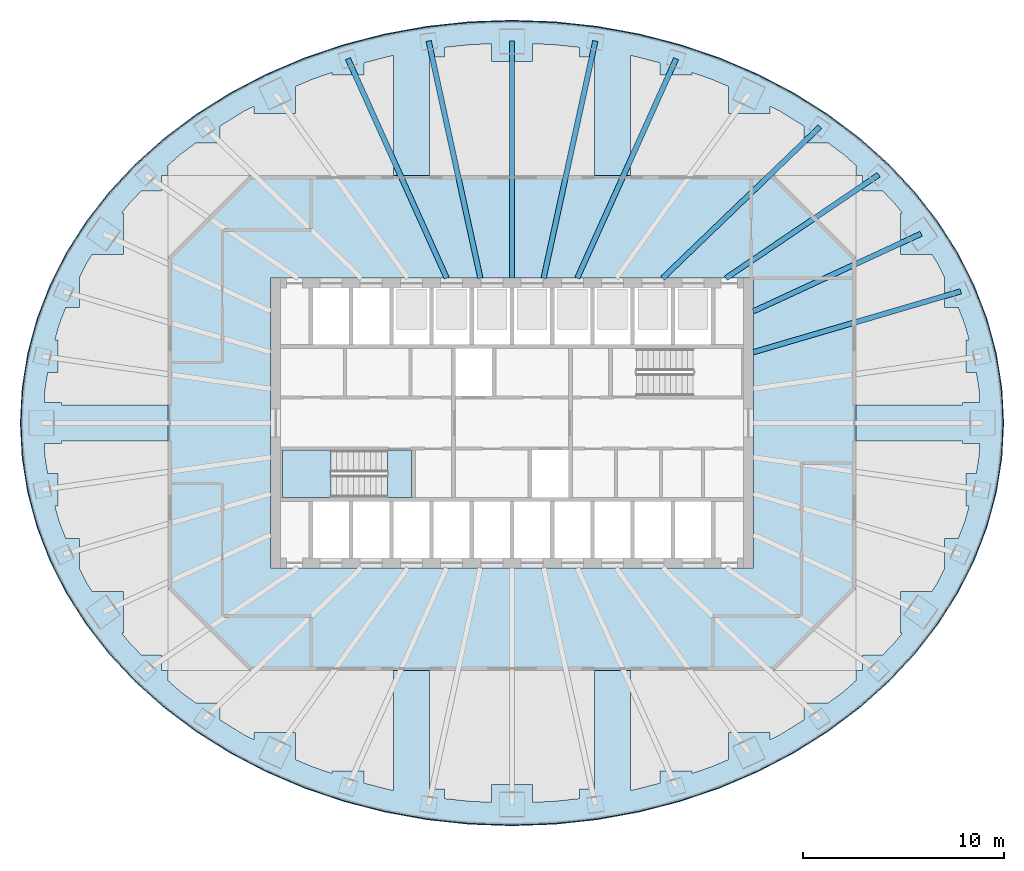
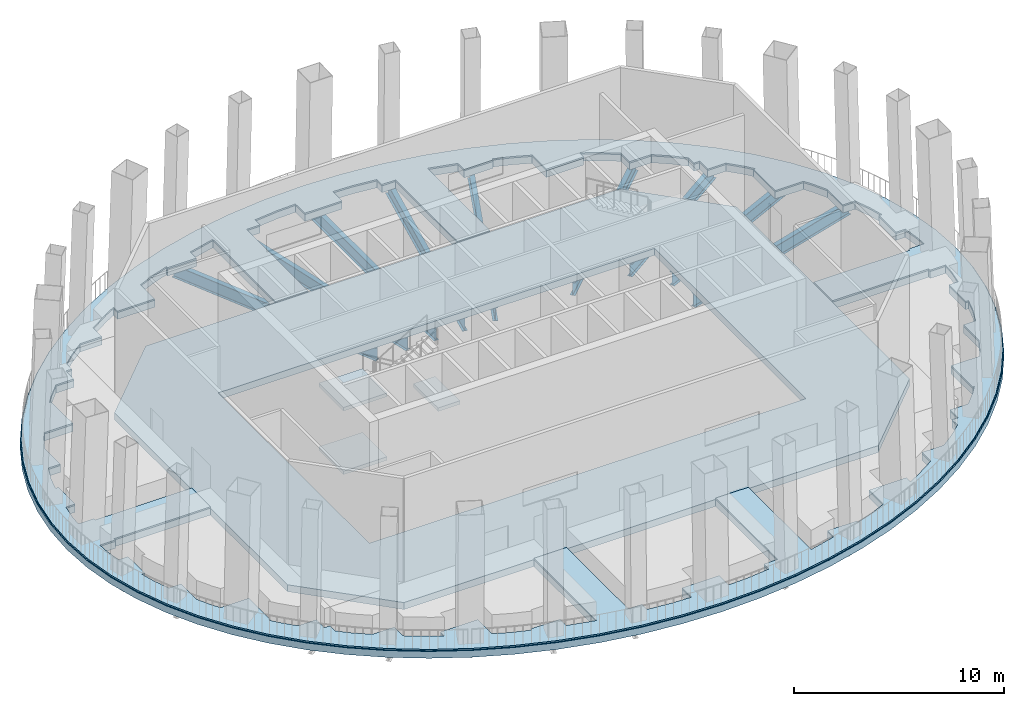
# One storey, part 2 of 15: 9 beams, 6 slabs, 1 element without a shape of its own.
"""IFC4 building model written with IfcOpenShell, lengths in metres."""

from ifc_helpers import new_model, si_unit, direction, frame, origin, origin_2d, place, context, subcontext, project, spatial, polyline, i_section, outline, extrude, material, layer, layer_set, material_profile, profile_set, type_object, element, aggregate, save


model = new_model("IFC4")

# Units and contexts
model_context = context("Model", 3, precision=1e-05, world=origin(), true_north=direction((0.0, 1.0)))
body_context = subcontext(model_context, "Body", "Model", "MODEL_VIEW")
ifc_project = project(units=[si_unit("LENGTHUNIT", "METRE"), si_unit("AREAUNIT", "SQUARE_METRE"), si_unit("VOLUMEUNIT", "CUBIC_METRE"), si_unit("PLANEANGLEUNIT", "RADIAN"), si_unit("MASSUNIT", "GRAM", prefix="KILO")], contexts=[model_context])

# Site, building, storey
site_placement = place(None, origin())
site = spatial("IfcSite", under=ifc_project, at=site_placement, CompositionType="ELEMENT")
building_placement = place(site_placement, origin())
building = spatial("IfcBuilding", under=site, at=building_placement, Name="Siaravel Broadcast Tower", CompositionType="ELEMENT")
storey_placement = place(building_placement, frame((0.0, 0.0, 145.199951171875)))
storey = spatial("IfcBuildingStorey", under=building, at=storey_placement, Name="L35", CompositionType="ELEMENT", Elevation=145.199951171875)

# Beams
ifc_material_1 = material(Name="Steel S355", Category="steel")
ifc_material_profile = material_profile(ifc_material_1, i_section(OverallWidth=0.26513671875, OverallDepth=0.75390625, WebThickness=0.0126953125, FlangeThickness=0.017578125, FilletRadius=0.0166015625, at=origin_2d()))
ifc_profile_set = profile_set([ifc_material_profile], Name="Steel S355")
beam_type = type_object("IfcBeamType", Name="BM-UB 762x267x147", PredefinedType="BEAM", material=ifc_profile_set)
beam_1_placement = place(storey_placement, frame((22.30712890625, 6.543701171875, -0.77685546875), z_axis=(-0.959562515, -0.281495612, 0.0), x_axis=(0.281495612, -0.959562515, 0.0)))
element("IfcBeam", 1, at=beam_1_placement, inside=storey, type_object=beam_type, Name="Radial beam RB03", PredefinedType="BEAM", context=body_context, shape_type="SweptSolid", body=[
    extrude(i_section(OverallWidth=0.26513671875, OverallDepth=0.75390625, WebThickness=0.0126953125, FlangeThickness=0.017578125, FilletRadius=0.0166015625, at=origin_2d()), origin(), (0.0, 0.0, 1.0), 10.741455078125),
])
beam_2_placement = place(storey_placement, frame((20.3330078125, 9.4072265625, -0.77685546875), z_axis=(-0.907576886, -0.419885931, 0.0), x_axis=(0.419885931, -0.907576886, 0.0)))
element("IfcBeam", 2, at=beam_2_placement, inside=storey, type_object=beam_type, Name="Radial beam RB04", PredefinedType="BEAM", context=body_context, shape_type="SweptSolid", body=[
    extrude(i_section(OverallWidth=0.26513671875, OverallDepth=0.75390625, WebThickness=0.0126953125, FlangeThickness=0.017578125, FilletRadius=0.0166015625, at=origin_2d()), origin(), (0.0, 0.0, 1.0), 9.181640625),
])
beam_3_placement = place(storey_placement, frame((18.22216796875, 12.3359375, -0.77685546875), z_axis=(-0.828089489, -0.560595932, 0.0), x_axis=(0.560595932, -0.828089489, 0.0)))
element("IfcBeam", 3, at=beam_3_placement, inside=storey, type_object=beam_type, Name="Radial beam RB05", PredefinedType="BEAM", context=body_context, shape_type="SweptSolid", body=[
    extrude(i_section(OverallWidth=0.26513671875, OverallDepth=0.75390625, WebThickness=0.0126953125, FlangeThickness=0.017578125, FilletRadius=0.0166015625, at=origin_2d()), origin(), (0.0, 0.0, 1.0), 9.16162109375),
])
beam_4_placement = place(storey_placement, frame((15.305908203125, 14.724365234375, -0.77685546875), z_axis=(-0.720662301, -0.693286267, 0.0), x_axis=(0.693286267, -0.720662301, 0.0)))
element("IfcBeam", 4, at=beam_4_placement, inside=storey, type_object=beam_type, Name="Radial beam RB06", PredefinedType="BEAM", context=body_context, shape_type="SweptSolid", body=[
    extrude(i_section(OverallWidth=0.26513671875, OverallDepth=0.75390625, WebThickness=0.0126953125, FlangeThickness=0.017578125, FilletRadius=0.0166015625, at=origin_2d()), origin(), (0.0, 0.0, 1.0), 10.853271484375),
])
beam_5_placement = place(storey_placement, frame((8.15673828125, 18.104248046875, -0.77685546875), z_axis=(-0.410775447, -0.911736548, 0.0), x_axis=(0.911736548, -0.410775447, 0.0)))
element("IfcBeam", 5, at=beam_5_placement, inside=storey, type_object=beam_type, Name="Radial beam RB08", PredefinedType="BEAM", context=body_context, shape_type="SweptSolid", body=[
    extrude(i_section(OverallWidth=0.26513671875, OverallDepth=0.75390625, WebThickness=0.0126953125, FlangeThickness=0.017578125, FilletRadius=0.0166015625, at=origin_2d()), origin(), (0.0, 0.0, 1.0), 11.9599609375),
])
beam_6_placement = place(storey_placement, frame((4.142822265625, 18.985107421875, -0.77685546875), z_axis=(-0.21318499, -0.977011853, 0.0), x_axis=(0.977011853, -0.21318499, 0.0)))
element("IfcBeam", 6, at=beam_6_placement, inside=storey, type_object=beam_type, Name="Radial beam RB09", PredefinedType="BEAM", context=body_context, shape_type="SweptSolid", body=[
    extrude(i_section(OverallWidth=0.26513671875, OverallDepth=0.75390625, WebThickness=0.0126953125, FlangeThickness=0.017578125, FilletRadius=0.0166015625, at=origin_2d()), origin(), (0.0, 0.0, 1.0), 12.0625),
])
beam_7_placement = place(storey_placement, frame((0.0, 18.98193359375, -0.77685546875), z_axis=(0.0, -1.0, 0.0), x_axis=(1.0, 0.0, 0.0)))
element("IfcBeam", 7, at=beam_7_placement, inside=storey, type_object=beam_type, Name="Radial beam RB10", PredefinedType="BEAM", context=body_context, shape_type="SweptSolid", body=[
    extrude(i_section(OverallWidth=0.26513671875, OverallDepth=0.75390625, WebThickness=0.0126953125, FlangeThickness=0.017578125, FilletRadius=0.0166015625, at=origin_2d()), origin(), (0.0, 0.0, 1.0), 11.781982421875),
])
beam_8_placement = place(storey_placement, frame((-4.142822265625, 18.985107421875, -0.77685546875), z_axis=(0.21318499, -0.977011853, 0.0), x_axis=(0.977011853, 0.21318499, 0.0)))
element("IfcBeam", 8, at=beam_8_placement, inside=storey, type_object=beam_type, Name="Radial beam RB11", PredefinedType="BEAM", context=body_context, shape_type="SweptSolid", body=[
    extrude(i_section(OverallWidth=0.26513671875, OverallDepth=0.75390625, WebThickness=0.0126953125, FlangeThickness=0.017578125, FilletRadius=0.0166015625, at=origin_2d()), origin(), (0.0, 0.0, 1.0), 12.0625),
])
beam_9_placement = place(storey_placement, frame((-8.15673828125, 18.104248046875, -0.77685546875), z_axis=(0.410775447, -0.911736548, 0.0), x_axis=(0.911736548, 0.410775447, 0.0)))
element("IfcBeam", 9, at=beam_9_placement, inside=storey, type_object=beam_type, Name="Radial beam RB12", PredefinedType="BEAM", context=body_context, shape_type="SweptSolid", body=[
    extrude(i_section(OverallWidth=0.26513671875, OverallDepth=0.75390625, WebThickness=0.0126953125, FlangeThickness=0.017578125, FilletRadius=0.0166015625, at=origin_2d()), origin(), (0.0, 0.0, 1.0), 11.9599609375),
])

# Slabs
ifc_material_2 = material(Name="Concrete C40/50", Category="concrete")
ifc_layer_1 = layer(ifc_material_2, 0.39990234375)
ifc_layer_set_1 = layer_set([ifc_layer_1], Name="Concrete C40/50")
slab_type_1 = type_object("IfcSlabType", Name="SLB-FLOOR-400", PredefinedType="FLOOR", material=ifc_layer_set_1)
slab_1_placement = place(storey_placement, frame((0.0, 0.0, -0.39990234375)))
element("IfcSlab", 10, at=slab_1_placement, inside=storey, type_object=slab_type_1, Name="Floor slab", PredefinedType="FLOOR", context=body_context, shape_type="SweptSolid", body=[
    extrude(outline(polyline([(-17.10009765625, 8.241455078125), (-17.10009765625, -8.241455078125), (-13.04150390625, -12.300048828125), (13.04150390625, -12.300048828125), (17.10009765625, -8.241455078125), (17.10009765625, 8.241455078125), (13.04150390625, 12.300048828125), (-13.04150390625, 12.300048828125), (-17.10009765625, 8.241455078125)]), holes=[polyline([(-12.0, 7.199951171875), (12.0, 7.199951171875), (12.0, -7.199951171875), (-12.0, -7.199951171875), (-12.0, 7.199951171875)])]), origin(), (0.0, 0.0, 1.0), 0.39990234375),
])
ifc_layer_2 = layer(ifc_material_2, 0.39990234375)
ifc_layer_set_2 = layer_set([ifc_layer_2], Name="Concrete C40/50")
slab_type_2 = type_object("IfcSlabType", Name="SLB-FLOOR-400-EXT", PredefinedType="FLOOR", material=ifc_layer_set_2)
slab_2_placement = place(storey_placement, frame((0.0, 0.0, -0.39990234375)))
element("IfcSlab", 11, at=slab_2_placement, inside=storey, type_object=slab_type_2, Name="Sky garden terrace structural slab", PredefinedType="FLOOR", context=body_context, shape_type="SweptSolid", body=[
    extrude(outline(polyline([(24.452880859375, 0.0), (24.359619140625, 1.74560546875), (24.081298828125, 3.47802734375), (23.61962890625, 5.18408203125), (22.97802734375, 6.8505859375), (22.161865234375, 8.46484375), (21.1767578125, 10.014892578125), (20.030517578125, 11.488525390625), (18.73193359375, 12.874755859375), (17.290771484375, 14.1630859375), (15.718017578125, 15.343505859375), (14.025390625, 16.4072265625), (12.226318359375, 17.34619140625), (10.334228515625, 18.153076171875), (8.36328125, 18.82177734375), (6.328857421875, 19.34716796875), (4.24609375, 19.725341796875), (2.131103515625, 19.953369140625), (0.0, 20.029541015625), (-2.131103515625, 19.953369140625), (-4.24609375, 19.725341796875), (-6.328857421875, 19.34716796875), (-8.36328125, 18.82177734375), (-10.334228515625, 18.153076171875), (-12.226318359375, 17.34619140625), (-14.025390625, 16.4072265625), (-15.718017578125, 15.343505859375), (-17.290771484375, 14.1630859375), (-18.73193359375, 12.874755859375), (-20.030517578125, 11.488525390625), (-21.1767578125, 10.014892578125), (-22.161865234375, 8.46484375), (-22.97802734375, 6.8505859375), (-23.61962890625, 5.18408203125), (-24.081298828125, 3.47802734375), (-24.359619140625, 1.74560546875), (-24.452880859375, 0.0), (-24.359619140625, -1.74560546875), (-24.081298828125, -3.47802734375), (-23.61962890625, -5.18408203125), (-22.97802734375, -6.8505859375), (-22.161865234375, -8.46484375), (-21.1767578125, -10.014892578125), (-20.030517578125, -11.488525390625), (-18.73193359375, -12.874755859375), (-17.290771484375, -14.1630859375), (-15.718017578125, -15.343505859375), (-14.025390625, -16.4072265625), (-12.226318359375, -17.34619140625), (-10.334228515625, -18.153076171875), (-8.36328125, -18.82177734375), (-6.328857421875, -19.34716796875), (-4.24609375, -19.725341796875), (-2.131103515625, -19.953369140625), (0.0, -20.029541015625), (2.131103515625, -19.953369140625), (4.24609375, -19.725341796875), (6.328857421875, -19.34716796875), (8.36328125, -18.82177734375), (10.334228515625, -18.153076171875), (12.226318359375, -17.34619140625), (14.025390625, -16.4072265625), (15.718017578125, -15.343505859375), (17.290771484375, -14.1630859375), (18.73193359375, -12.874755859375), (20.030517578125, -11.488525390625), (21.1767578125, -10.014892578125), (22.161865234375, -8.46484375), (22.97802734375, -6.8505859375), (23.61962890625, -5.18408203125), (24.081298828125, -3.47802734375), (24.359619140625, -1.74560546875), (24.452880859375, 0.0)]), holes=[polyline([(-1.02490234375, -17.95703125), (-1.02490234375, -18.843505859375), (-2.031005859375, -18.807861328125), (-3.343017578125, -18.66796875), (-3.343017578125, -18.18505859375), (-4.10009765625, -18.18505859375), (-4.10009765625, -12.300048828125), (-5.89990234375, -12.300048828125), (-5.89990234375, -18.260009765625), (-6.03125, -18.236328125), (-7.356689453125, -17.897705078125), (-7.356689453125, -17.30419921875), (-8.956787109375, -17.30419921875), (-8.956787109375, -17.409912109375), (-9.84814453125, -17.110595703125), (-10.76318359375, -16.724853515625), (-10.76318359375, -15.3720703125), (-12.81298828125, -15.3720703125), (-12.81298828125, -15.75048828125), (-13.365966796875, -15.46533203125), (-14.505859375, -14.756591796875), (-14.505859375, -13.92431640625), (-15.703857421875, -13.92431640625), (-16.4775390625, -13.349853515625), (-17.10009765625, -12.799560546875), (-17.10009765625, -12.300048828125), (-17.422119140625, -12.300048828125), (-17.422119140625, -11.535888671875), (-18.418701171875, -11.535888671875), (-19.08837890625, -10.828857421875), (-19.400390625, -10.432373046875), (-19.30810546875, -10.432373046875), (-19.30810546875, -8.38232421875), (-20.8603515625, -8.38232421875), (-21.119384765625, -7.97900390625), (-21.507080078125, -7.220703125), (-21.507080078125, -5.74365234375), (-22.17529296875, -5.74365234375), (-22.5087890625, -4.886474609375), (-22.71875, -4.118896484375), (-22.562255859375, -4.118896484375), (-22.562255859375, -2.518798828125), (-23.072265625, -2.518798828125), (-23.214111328125, -1.6455078125), (-23.24755859375, -1.02490234375), (-22.391845703125, -1.02490234375), (-22.391845703125, -0.89990234375), (-17.10009765625, -0.89990234375), (-17.10009765625, 0.89990234375), (-22.391845703125, 0.89990234375), (-22.391845703125, 1.02490234375), (-23.24755859375, 1.02490234375), (-23.214111328125, 1.6455078125), (-23.072265625, 2.518798828125), (-22.562255859375, 2.518798828125), (-22.562255859375, 4.118896484375), (-22.71875, 4.118896484375), (-22.5087890625, 4.886474609375), (-22.17529296875, 5.74365234375), (-21.507080078125, 5.74365234375), (-21.507080078125, 7.220703125), (-21.119384765625, 7.97900390625), (-20.8603515625, 8.38232421875), (-19.30810546875, 8.38232421875), (-19.30810546875, 10.432373046875), (-19.400390625, 10.432373046875), (-19.08837890625, 10.828857421875), (-18.418701171875, 11.535888671875), (-17.422119140625, 11.535888671875), (-17.422119140625, 12.300048828125), (-17.10009765625, 12.300048828125), (-17.10009765625, 12.799560546875), (-16.4775390625, 13.349853515625), (-15.703857421875, 13.92431640625), (-14.505859375, 13.92431640625), (-14.505859375, 14.756591796875), (-13.365966796875, 15.46533203125), (-12.81298828125, 15.75048828125), (-12.81298828125, 15.3720703125), (-10.76318359375, 15.3720703125), (-10.76318359375, 16.724853515625), (-9.84814453125, 17.110595703125), (-8.956787109375, 17.409912109375), (-8.956787109375, 17.30419921875), (-7.356689453125, 17.30419921875), (-7.356689453125, 17.897705078125), (-6.03125, 18.236328125), (-5.89990234375, 18.260009765625), (-5.89990234375, 12.300048828125), (-4.10009765625, 12.300048828125), (-4.10009765625, 18.18505859375), (-3.343017578125, 18.18505859375), (-3.343017578125, 18.66796875), (-2.031005859375, 18.807861328125), (-1.02490234375, 18.843505859375), (-1.02490234375, 17.95703125), (1.02490234375, 17.95703125), (1.02490234375, 18.843505859375), (2.031005859375, 18.807861328125), (3.343017578125, 18.66796875), (3.343017578125, 18.18505859375), (4.10009765625, 18.18505859375), (4.10009765625, 12.300048828125), (5.89990234375, 12.300048828125), (5.89990234375, 18.260009765625), (6.03125, 18.236328125), (7.356689453125, 17.897705078125), (7.356689453125, 17.30419921875), (8.956787109375, 17.30419921875), (8.956787109375, 17.409912109375), (9.84814453125, 17.110595703125), (10.76318359375, 16.724853515625), (10.76318359375, 15.3720703125), (12.81298828125, 15.3720703125), (12.81298828125, 15.75048828125), (13.365966796875, 15.46533203125), (14.505859375, 14.756591796875), (14.505859375, 13.92431640625), (15.703857421875, 13.92431640625), (16.4775390625, 13.349853515625), (17.10009765625, 12.799560546875), (17.10009765625, 12.300048828125), (17.422119140625, 12.300048828125), (17.422119140625, 11.535888671875), (18.418701171875, 11.535888671875), (19.08837890625, 10.828857421875), (19.400390625, 10.432373046875), (19.30810546875, 10.432373046875), (19.30810546875, 8.38232421875), (20.8603515625, 8.38232421875), (21.119384765625, 7.97900390625), (21.507080078125, 7.220703125), (21.507080078125, 5.74365234375), (22.17529296875, 5.74365234375), (22.5087890625, 4.886474609375), (22.71875, 4.118896484375), (22.562255859375, 4.118896484375), (22.562255859375, 2.518798828125), (23.072265625, 2.518798828125), (23.214111328125, 1.6455078125), (23.24755859375, 1.02490234375), (22.391845703125, 1.02490234375), (22.391845703125, 0.89990234375), (17.10009765625, 0.89990234375), (17.10009765625, -0.89990234375), (22.391845703125, -0.89990234375), (22.391845703125, -1.02490234375), (23.24755859375, -1.02490234375), (23.214111328125, -1.6455078125), (23.072265625, -2.518798828125), (22.562255859375, -2.518798828125), (22.562255859375, -4.118896484375), (22.71875, -4.118896484375), (22.5087890625, -4.886474609375), (22.17529296875, -5.74365234375), (21.507080078125, -5.74365234375), (21.507080078125, -7.220703125), (21.119384765625, -7.97900390625), (20.8603515625, -8.38232421875), (19.30810546875, -8.38232421875), (19.30810546875, -10.432373046875), (19.400390625, -10.432373046875), (19.08837890625, -10.828857421875), (18.418701171875, -11.535888671875), (17.422119140625, -11.535888671875), (17.422119140625, -12.300048828125), (17.10009765625, -12.300048828125), (17.10009765625, -12.799560546875), (16.4775390625, -13.349853515625), (15.703857421875, -13.92431640625), (14.505859375, -13.92431640625), (14.505859375, -14.756591796875), (13.365966796875, -15.46533203125), (12.81298828125, -15.75048828125), (12.81298828125, -15.3720703125), (10.76318359375, -15.3720703125), (10.76318359375, -16.724853515625), (9.84814453125, -17.110595703125), (8.956787109375, -17.409912109375), (8.956787109375, -17.30419921875), (7.356689453125, -17.30419921875), (7.356689453125, -17.897705078125), (6.03125, -18.236328125), (5.89990234375, -18.260009765625), (5.89990234375, -12.300048828125), (4.10009765625, -12.300048828125), (4.10009765625, -18.18505859375), (3.343017578125, -18.18505859375), (3.343017578125, -18.66796875), (2.031005859375, -18.807861328125), (1.02490234375, -18.843505859375), (1.02490234375, -17.95703125), (-1.02490234375, -17.95703125)])]), origin(), (0.0, 0.0, 1.0), 0.39990234375),
])
ifc_layer_3 = layer(ifc_material_2, 0.080078125)
ifc_layer_set_3 = layer_set([ifc_layer_3], Name="Concrete C40/50")
slab_type_3 = type_object("IfcSlabType", Name="Sky garden paving slab", PredefinedType="FLOOR", material=ifc_layer_set_3)
slab_3_placement = place(storey_placement, origin())
element("IfcSlab", 12, at=slab_3_placement, inside=storey, type_object=slab_type_3, Name="L35 sky garden terrace paving", PredefinedType="FLOOR", context=body_context, shape_type="SweptSolid", body=[
    extrude(outline(polyline([(24.40283203125, 0.0), (24.309814453125, 1.7412109375), (24.031982421875, 3.469482421875), (23.5712890625, 5.171142578125), (22.93115234375, 6.83349609375), (22.116455078125, 8.443603515625), (21.13330078125, 9.98974609375), (19.989501953125, 11.459716796875), (18.693603515625, 12.842529296875), (17.25537109375, 14.127685546875), (15.685791015625, 15.305419921875), (13.996826171875, 16.3662109375), (12.201416015625, 17.302734375), (10.31298828125, 18.107666015625), (8.34619140625, 18.774658203125), (6.31591796875, 19.298828125), (4.237548828125, 19.676025390625), (2.126708984375, 19.903564453125), (0.0, 19.9794921875), (-2.126708984375, 19.903564453125), (-4.237548828125, 19.676025390625), (-6.31591796875, 19.298828125), (-8.34619140625, 18.774658203125), (-10.31298828125, 18.107666015625), (-12.201416015625, 17.302734375), (-13.996826171875, 16.3662109375), (-15.685791015625, 15.305419921875), (-17.25537109375, 14.127685546875), (-18.693603515625, 12.842529296875), (-19.989501953125, 11.459716796875), (-21.13330078125, 9.98974609375), (-22.116455078125, 8.443603515625), (-22.93115234375, 6.83349609375), (-23.5712890625, 5.171142578125), (-24.031982421875, 3.469482421875), (-24.309814453125, 1.7412109375), (-24.40283203125, 0.0), (-24.309814453125, -1.7412109375), (-24.031982421875, -3.469482421875), (-23.5712890625, -5.171142578125), (-22.93115234375, -6.83349609375), (-22.116455078125, -8.443603515625), (-21.13330078125, -9.98974609375), (-19.989501953125, -11.459716796875), (-18.693603515625, -12.842529296875), (-17.25537109375, -14.127685546875), (-15.685791015625, -15.305419921875), (-13.996826171875, -16.3662109375), (-12.201416015625, -17.302734375), (-10.31298828125, -18.107666015625), (-8.34619140625, -18.774658203125), (-6.31591796875, -19.298828125), (-4.237548828125, -19.676025390625), (-2.126708984375, -19.903564453125), (0.0, -19.9794921875), (2.126708984375, -19.903564453125), (4.237548828125, -19.676025390625), (6.31591796875, -19.298828125), (8.34619140625, -18.774658203125), (10.31298828125, -18.107666015625), (12.201416015625, -17.302734375), (13.996826171875, -16.3662109375), (15.685791015625, -15.305419921875), (17.25537109375, -14.127685546875), (18.693603515625, -12.842529296875), (19.989501953125, -11.459716796875), (21.13330078125, -9.98974609375), (22.116455078125, -8.443603515625), (22.93115234375, -6.83349609375), (23.5712890625, -5.171142578125), (24.031982421875, -3.469482421875), (24.309814453125, -1.7412109375), (24.40283203125, 0.0)]), holes=[polyline([(-1.02490234375, -17.95703125), (-1.02490234375, -18.843505859375), (-2.031005859375, -18.807861328125), (-3.343017578125, -18.66796875), (-3.343017578125, -18.18505859375), (-4.10009765625, -18.18505859375), (-4.10009765625, -12.300048828125), (-5.89990234375, -12.300048828125), (-5.89990234375, -18.260009765625), (-6.03125, -18.236328125), (-7.356689453125, -17.897705078125), (-7.356689453125, -17.30419921875), (-8.956787109375, -17.30419921875), (-8.956787109375, -17.409912109375), (-9.84814453125, -17.110595703125), (-10.76318359375, -16.724853515625), (-10.76318359375, -15.3720703125), (-12.81298828125, -15.3720703125), (-12.81298828125, -15.75048828125), (-13.365966796875, -15.46533203125), (-14.505859375, -14.756591796875), (-14.505859375, -13.92431640625), (-15.703857421875, -13.92431640625), (-16.4775390625, -13.349853515625), (-17.10009765625, -12.799560546875), (-17.10009765625, -12.300048828125), (-17.422119140625, -12.300048828125), (-17.422119140625, -11.535888671875), (-18.418701171875, -11.535888671875), (-19.08837890625, -10.828857421875), (-19.400390625, -10.432373046875), (-19.30810546875, -10.432373046875), (-19.30810546875, -8.38232421875), (-20.8603515625, -8.38232421875), (-21.119384765625, -7.97900390625), (-21.507080078125, -7.220703125), (-21.507080078125, -5.74365234375), (-22.17529296875, -5.74365234375), (-22.5087890625, -4.886474609375), (-22.71875, -4.118896484375), (-22.562255859375, -4.118896484375), (-22.562255859375, -2.518798828125), (-23.072265625, -2.518798828125), (-23.214111328125, -1.6455078125), (-23.24755859375, -1.02490234375), (-22.391845703125, -1.02490234375), (-22.391845703125, -0.89990234375), (-17.10009765625, -0.89990234375), (-17.10009765625, 0.89990234375), (-22.391845703125, 0.89990234375), (-22.391845703125, 1.02490234375), (-23.24755859375, 1.02490234375), (-23.214111328125, 1.6455078125), (-23.072265625, 2.518798828125), (-22.562255859375, 2.518798828125), (-22.562255859375, 4.118896484375), (-22.71875, 4.118896484375), (-22.5087890625, 4.886474609375), (-22.17529296875, 5.74365234375), (-21.507080078125, 5.74365234375), (-21.507080078125, 7.220703125), (-21.119384765625, 7.97900390625), (-20.8603515625, 8.38232421875), (-19.30810546875, 8.38232421875), (-19.30810546875, 10.432373046875), (-19.400390625, 10.432373046875), (-19.08837890625, 10.828857421875), (-18.418701171875, 11.535888671875), (-17.422119140625, 11.535888671875), (-17.422119140625, 12.300048828125), (-17.10009765625, 12.300048828125), (-17.10009765625, 12.799560546875), (-16.4775390625, 13.349853515625), (-15.703857421875, 13.92431640625), (-14.505859375, 13.92431640625), (-14.505859375, 14.756591796875), (-13.365966796875, 15.46533203125), (-12.81298828125, 15.75048828125), (-12.81298828125, 15.3720703125), (-10.76318359375, 15.3720703125), (-10.76318359375, 16.724853515625), (-9.84814453125, 17.110595703125), (-8.956787109375, 17.409912109375), (-8.956787109375, 17.30419921875), (-7.356689453125, 17.30419921875), (-7.356689453125, 17.897705078125), (-6.03125, 18.236328125), (-5.89990234375, 18.260009765625), (-5.89990234375, 12.300048828125), (-4.10009765625, 12.300048828125), (-4.10009765625, 18.18505859375), (-3.343017578125, 18.18505859375), (-3.343017578125, 18.66796875), (-2.031005859375, 18.807861328125), (-1.02490234375, 18.843505859375), (-1.02490234375, 17.95703125), (1.02490234375, 17.95703125), (1.02490234375, 18.843505859375), (2.031005859375, 18.807861328125), (3.343017578125, 18.66796875), (3.343017578125, 18.18505859375), (4.10009765625, 18.18505859375), (4.10009765625, 12.300048828125), (5.89990234375, 12.300048828125), (5.89990234375, 18.260009765625), (6.03125, 18.236328125), (7.356689453125, 17.897705078125), (7.356689453125, 17.30419921875), (8.956787109375, 17.30419921875), (8.956787109375, 17.409912109375), (9.84814453125, 17.110595703125), (10.76318359375, 16.724853515625), (10.76318359375, 15.3720703125), (12.81298828125, 15.3720703125), (12.81298828125, 15.75048828125), (13.365966796875, 15.46533203125), (14.505859375, 14.756591796875), (14.505859375, 13.92431640625), (15.703857421875, 13.92431640625), (16.4775390625, 13.349853515625), (17.10009765625, 12.799560546875), (17.10009765625, 12.300048828125), (17.422119140625, 12.300048828125), (17.422119140625, 11.535888671875), (18.418701171875, 11.535888671875), (19.08837890625, 10.828857421875), (19.400390625, 10.432373046875), (19.30810546875, 10.432373046875), (19.30810546875, 8.38232421875), (20.8603515625, 8.38232421875), (21.119384765625, 7.97900390625), (21.507080078125, 7.220703125), (21.507080078125, 5.74365234375), (22.17529296875, 5.74365234375), (22.5087890625, 4.886474609375), (22.71875, 4.118896484375), (22.562255859375, 4.118896484375), (22.562255859375, 2.518798828125), (23.072265625, 2.518798828125), (23.214111328125, 1.6455078125), (23.24755859375, 1.02490234375), (22.391845703125, 1.02490234375), (22.391845703125, 0.89990234375), (17.10009765625, 0.89990234375), (17.10009765625, -0.89990234375), (22.391845703125, -0.89990234375), (22.391845703125, -1.02490234375), (23.24755859375, -1.02490234375), (23.214111328125, -1.6455078125), (23.072265625, -2.518798828125), (22.562255859375, -2.518798828125), (22.562255859375, -4.118896484375), (22.71875, -4.118896484375), (22.5087890625, -4.886474609375), (22.17529296875, -5.74365234375), (21.507080078125, -5.74365234375), (21.507080078125, -7.220703125), (21.119384765625, -7.97900390625), (20.8603515625, -8.38232421875), (19.30810546875, -8.38232421875), (19.30810546875, -10.432373046875), (19.400390625, -10.432373046875), (19.08837890625, -10.828857421875), (18.418701171875, -11.535888671875), (17.422119140625, -11.535888671875), (17.422119140625, -12.300048828125), (17.10009765625, -12.300048828125), (17.10009765625, -12.799560546875), (16.4775390625, -13.349853515625), (15.703857421875, -13.92431640625), (14.505859375, -13.92431640625), (14.505859375, -14.756591796875), (13.365966796875, -15.46533203125), (12.81298828125, -15.75048828125), (12.81298828125, -15.3720703125), (10.76318359375, -15.3720703125), (10.76318359375, -16.724853515625), (9.84814453125, -17.110595703125), (8.956787109375, -17.409912109375), (8.956787109375, -17.30419921875), (7.356689453125, -17.30419921875), (7.356689453125, -17.897705078125), (6.03125, -18.236328125), (5.89990234375, -18.260009765625), (5.89990234375, -12.300048828125), (4.10009765625, -12.300048828125), (4.10009765625, -18.18505859375), (3.343017578125, -18.18505859375), (3.343017578125, -18.66796875), (2.031005859375, -18.807861328125), (1.02490234375, -18.843505859375), (1.02490234375, -17.95703125), (-1.02490234375, -17.95703125)])]), origin(), (0.0, 0.0, 1.0), 0.080078125),
])

# Stair, slabs
stair_type = type_object("IfcStairType", Name="Core exit stair", PredefinedType="HALF_TURN_STAIR", material=ifc_material_2)
stair_placement = place(storey_placement, origin())
stair = element("IfcStair", 13, at=stair_placement, inside=storey, type_object=stair_type, Name="L35 Exit stair ST-1", PredefinedType="HALF_TURN_STAIR")
ifc_layer_4 = layer(ifc_material_2, 0.199951171875)
ifc_layer_set_4 = layer_set([ifc_layer_4], Name="Concrete C40/50")
slab_type_4 = type_object("IfcSlabType", Name="Stair landing", PredefinedType="LANDING", material=ifc_layer_set_4)
slab_4_placement = place(storey_placement, frame((0.0, 0.0, 1.650146484375)))
slab_4 = element("IfcSlab", 14, at=slab_4_placement, type_object=slab_type_4, Name="ST-1 landing 1", PredefinedType="LANDING", context=body_context, shape_type="SweptSolid", body=[
    extrude(outline(polyline([(-9.0, -1.35009765625), (-11.39990234375, -1.35009765625), (-11.39990234375, -3.699951171875), (-9.0, -3.699951171875), (-9.0, -1.35009765625)])), origin(), (0.0, 0.0, 1.0), 0.199951171875),
])
slab_5_placement = place(storey_placement, frame((0.0, 0.0, 3.5)))
slab_5 = element("IfcSlab", 15, at=slab_5_placement, type_object=slab_type_4, Name="ST-1 landing 2", PredefinedType="LANDING", context=body_context, shape_type="SweptSolid", body=[
    extrude(outline(polyline([(-5.0, -1.35009765625), (-6.199951171875, -1.35009765625), (-6.199951171875, -3.699951171875), (-5.0, -3.699951171875), (-5.0, -1.35009765625)])), origin(), (0.0, 0.0, 1.0), 0.199951171875),
])
slab_6_placement = place(storey_placement, frame((0.0, 0.0, 5.35009765625)))
slab_6 = element("IfcSlab", 16, at=slab_6_placement, type_object=slab_type_4, Name="ST-1 landing 3", PredefinedType="LANDING", context=body_context, shape_type="SweptSolid", body=[
    extrude(outline(polyline([(-9.0, -1.35009765625), (-11.39990234375, -1.35009765625), (-11.39990234375, -3.699951171875), (-9.0, -3.699951171875), (-9.0, -1.35009765625)])), origin(), (0.0, 0.0, 1.0), 0.199951171875),
])
aggregate(stair, [slab_4, slab_5, slab_6])

save(model, "model.ifc")
